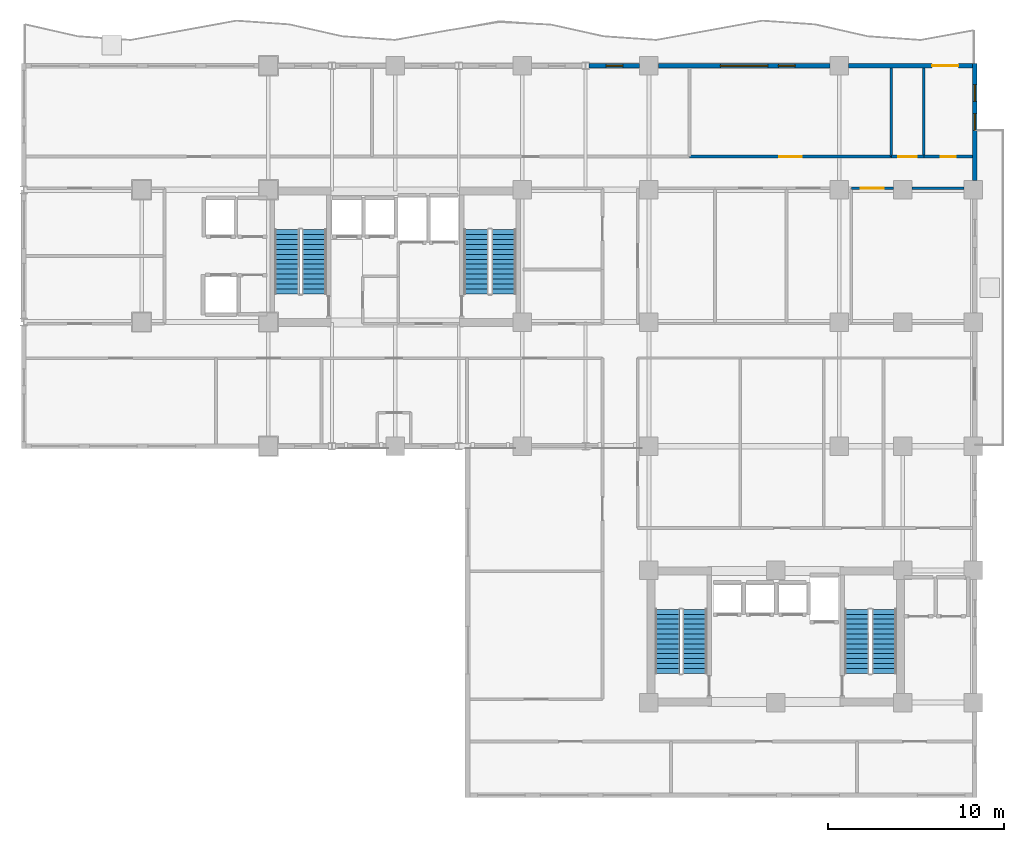
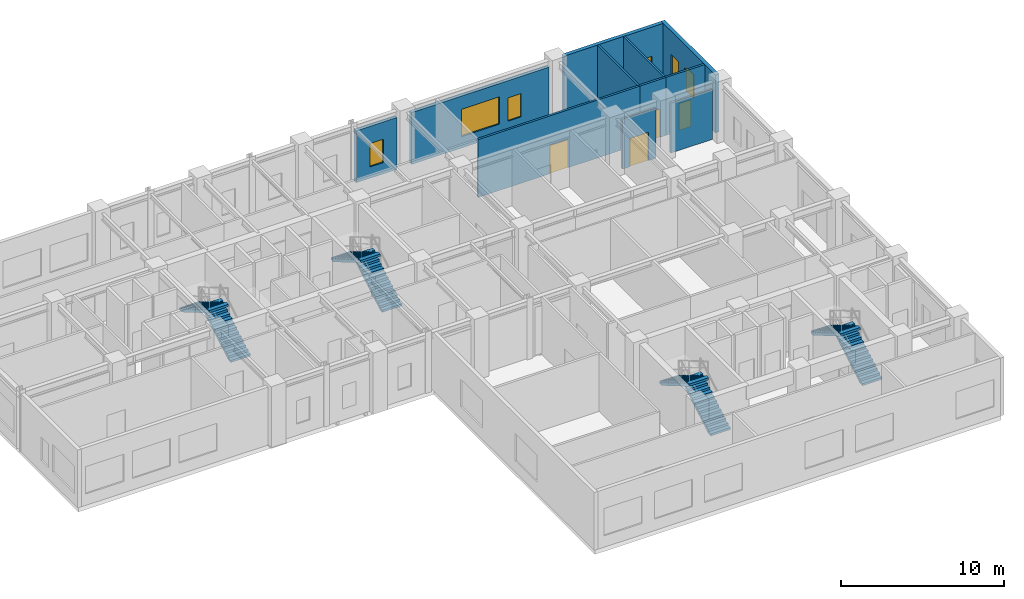
# One storey, part 9 of 14: 11 walls, 8 stair flights, 5 doors, 5 windows, 10 openings, 4 elements without a shape of their own.
"""IFC4 building model written with IfcOpenShell, lengths in metres."""

from ifc_helpers import new_model, si_unit, direction, frame, frame_2d, origin, place, context, subcontext, project, spatial, polyline, rectangle, outline, extrude, material, layer, layer_set, type_object, element, fill, aggregate, save


model = new_model("IFC4")

# Units and contexts
model_context = context("Model", 3, precision=1e-05, world=origin(), true_north=direction((0.0, 1.0)))
body_context = subcontext(model_context, "Body", "Model", "MODEL_VIEW")
ifc_project = project(units=[si_unit("LENGTHUNIT", "METRE"), si_unit("AREAUNIT", "SQUARE_METRE"), si_unit("VOLUMEUNIT", "CUBIC_METRE"), si_unit("PLANEANGLEUNIT", "RADIAN"), si_unit("MASSUNIT", "GRAM", prefix="KILO")], contexts=[model_context])

# Site, building, storey
site_placement = place(None, origin())
site = spatial("IfcSite", under=ifc_project, at=site_placement, CompositionType="ELEMENT")
building_placement = place(site_placement, origin())
building = spatial("IfcBuilding", under=site, at=building_placement, Name="Kaliganga Portal Commons", CompositionType="ELEMENT")
storey_placement = place(building_placement, frame((0.0, 0.0, 135.60009765625)))
storey = spatial("IfcBuildingStorey", under=building, at=storey_placement, Name="L34", CompositionType="ELEMENT", Elevation=135.60009765625)

# Wall, openings, windows
ifc_material_1 = material(Name="Insulated Aluminium-Clad Spandrel Assembly", Category="aluminium")
ifc_layer_1 = layer(ifc_material_1, 0.260009765625)
ifc_layer_set_1 = layer_set([ifc_layer_1], Name="Insulated Aluminium-Clad Spandrel Assembly")
wall_type_1 = type_object("IfcWallType", Name="WL-EXT-SPAND-260", PredefinedType="STANDARD", material=ifc_layer_set_1)
wall_1_placement = place(storey_placement, frame((54.5, 43.330078125, 0.0), z_axis=(0.0, 0.0, 1.0), x_axis=(0.0, -1.0, 0.0)))
wall_1 = element("IfcWall", 1, at=wall_1_placement, inside=storey, type_object=wall_type_1, Name="Exterior Envelope Wall L34 P1-E01-S6", PredefinedType="STANDARD", context=body_context, shape_type="SweptSolid", body=[
    extrude(rectangle(XDim=6.654052734375, YDim=0.260009765625, at=frame_2d((3.3271484375, 0.0))), origin(), (0.0, 0.0, 1.0), 4.33984375),
])
opening_1_placement = place(wall_1_placement, frame((2.85205078125, 0.0, 0.85009765625)))
opening_1 = element("IfcOpeningElement", 2, at=opening_1_placement, cuts=wall_1, Name="Opening W-04", PredefinedType="OPENING", context=body_context, shape_type="SweptSolid", body=[
    extrude(rectangle(XDim=0.949951171875, YDim=1.75, at=frame_2d((0.47509765625, 0.875))), frame((0.0, 0.14013671875, 0.0), z_axis=(0.0, -1.0, 0.0), x_axis=(1.0, 0.0, 0.0)), (0.0, 0.0, 1.0), 0.280029296875),
])
opening_2_placement = place(wall_1_placement, frame((1.201904296875, 0.0, 0.85009765625)))
opening_2 = element("IfcOpeningElement", 3, at=opening_2_placement, cuts=wall_1, Name="Opening W-04", PredefinedType="OPENING", context=body_context, shape_type="SweptSolid", body=[
    extrude(rectangle(XDim=0.949951171875, YDim=1.75, at=frame_2d((0.47509765625, 0.875))), frame((0.0, 0.14013671875, 0.0), z_axis=(0.0, -1.0, 0.0), x_axis=(1.0, 0.0, 0.0)), (0.0, 0.0, 1.0), 0.280029296875),
])
ifc_material_2 = material(Name="Thermally Broken Aluminium and Low-E Double Glazing", Category="aluminium")
window_type_1 = type_object("IfcWindowType", Name="WIN-NARROW-950", PartitioningType="SINGLE_PANEL", PredefinedType="WINDOW", material=ifc_material_2)
window_1_placement = place(opening_1_placement, origin())
window_1 = element("IfcWindow", 4, at=window_1_placement, inside=storey, type_object=window_type_1, Name="Facade Window L34-P1E01S6-N0", OverallHeight=1.75, OverallWidth=0.949951171875, PartitioningType="SINGLE_PANEL", PredefinedType="WINDOW", context=body_context, shape_type="SweptSolid", body=[
    extrude(rectangle(XDim=0.949951171875, YDim=1.75, at=frame_2d((0.47509765625, 0.875))), frame((0.0, 0.030029296875, 0.0), z_axis=(0.0, -1.0, 0.0), x_axis=(1.0, 0.0, 0.0)), (0.0, 0.0, 1.0), 0.06005859375),
])
fill(opening_1, window_1)
window_2_placement = place(opening_2_placement, origin())
window_2 = element("IfcWindow", 5, at=window_2_placement, inside=storey, type_object=window_type_1, Name="Facade Window L34-P1E01S6-N1", OverallHeight=1.75, OverallWidth=0.949951171875, PartitioningType="SINGLE_PANEL", PredefinedType="WINDOW", context=body_context, shape_type="SweptSolid", body=[
    extrude(rectangle(XDim=0.949951171875, YDim=1.75, at=frame_2d((0.47509765625, 0.875))), frame((0.0, 0.030029296875, 0.0), z_axis=(0.0, -1.0, 0.0), x_axis=(1.0, 0.0, 0.0)), (0.0, 0.0, 1.0), 0.06005859375),
])
fill(opening_2, window_2)

# Wall, opening, door
wall_2_placement = place(storey_placement, frame((47.325927734375, 43.199951171875, 0.0), z_axis=(0.0, 0.0, 1.0), x_axis=(1.0, 0.0, 0.0)))
wall_2 = element("IfcWall", 6, at=wall_2_placement, inside=storey, type_object=wall_type_1, Name="Exterior Envelope Wall L34 P1-E02-S1", PredefinedType="STANDARD", context=body_context, shape_type="SweptSolid", body=[
    extrude(rectangle(XDim=7.0390625, YDim=0.260009765625, at=frame_2d((3.51953125, 0.0))), origin(), (0.0, 0.0, 1.0), 4.33984375),
])
opening_3_placement = place(wall_2_placement, frame((4.739990234375, 0.0, 0.0)))
opening_3 = element("IfcOpeningElement", 7, at=opening_3_placement, cuts=wall_2, Name="Opening BD-01", PredefinedType="OPENING", context=body_context, shape_type="SweptSolid", body=[
    extrude(rectangle(XDim=1.5, YDim=2.14990234375, at=frame_2d((0.75, 1.074951171875))), frame((0.0, 0.14013671875, 0.0), z_axis=(0.0, -1.0, 0.0), x_axis=(1.0, 0.0, 0.0)), (0.0, 0.0, 1.0), 0.280029296875),
])
ifc_material_3 = material(Name="Anodized Aluminium and Laminated Safety Glass", Category="aluminium")
door_type_1 = type_object("IfcDoorType", Name="DR-BALC-1500", OperationType="SLIDING_TO_LEFT", PredefinedType="DOOR", material=ifc_material_3)
door_1_placement = place(opening_3_placement, origin())
door_1 = element("IfcDoor", 8, at=door_1_placement, inside=storey, type_object=door_type_1, Name="Balcony Sliding Door L34 balc_north", OperationType="SLIDING_TO_LEFT", OverallHeight=2.14990234375, OverallWidth=1.5, PredefinedType="DOOR", context=body_context, shape_type="SweptSolid", body=[
    extrude(rectangle(XDim=1.5, YDim=2.14990234375, at=frame_2d((0.75, 1.074951171875))), frame((0.0, 0.02490234375, 0.0), z_axis=(0.0, -1.0, 0.0), x_axis=(1.0, 0.0, 0.0)), (0.0, 0.0, 1.0), 0.050048828125),
])
fill(opening_3, door_1)

# Wall, openings, windows
wall_3_placement = place(storey_placement, frame((36.52587890625, 43.199951171875, 0.0), z_axis=(0.0, 0.0, 1.0), x_axis=(1.0, 0.0, 0.0)))
wall_3 = element("IfcWall", 9, at=wall_3_placement, inside=storey, type_object=wall_type_1, Name="Exterior Envelope Wall L34 P1-E02-S2", PredefinedType="STANDARD", context=body_context, shape_type="SweptSolid", body=[
    extrude(rectangle(XDim=9.748046875, YDim=0.260009765625, at=frame_2d((4.8740234375, 0.0))), origin(), (0.0, 0.0, 1.0), 3.889892578125),
])
opening_4_placement = place(wall_3_placement, frame((3.52392578125, 0.0, 0.85009765625)))
opening_4 = element("IfcOpeningElement", 10, at=opening_4_placement, cuts=wall_3, Name="Opening W-07", PredefinedType="OPENING", context=body_context, shape_type="SweptSolid", body=[
    extrude(rectangle(XDim=2.699951171875, YDim=2.050048828125, at=frame_2d((1.35009765625, 1.02490234375))), frame((0.0, 0.14013671875, 0.0), z_axis=(0.0, -1.0, 0.0), x_axis=(1.0, 0.0, 0.0)), (0.0, 0.0, 1.0), 0.280029296875),
])
opening_5_placement = place(wall_3_placement, frame((6.81640625, 0.0, 0.85009765625)))
opening_5 = element("IfcOpeningElement", 11, at=opening_5_placement, cuts=wall_3, Name="Opening W-04", PredefinedType="OPENING", context=body_context, shape_type="SweptSolid", body=[
    extrude(rectangle(XDim=0.949951171875, YDim=1.75, at=frame_2d((0.47509765625, 0.875))), frame((0.0, 0.14013671875, 0.0), z_axis=(0.0, -1.0, 0.0), x_axis=(1.0, 0.0, 0.0)), (0.0, 0.0, 1.0), 0.280029296875),
])
window_type_2 = type_object("IfcWindowType", Name="WIN-LOUNGE-2700", PartitioningType="TRIPLE_PANEL_VERTICAL", PredefinedType="WINDOW", material=ifc_material_2)
window_3_placement = place(opening_4_placement, origin())
window_3 = element("IfcWindow", 12, at=window_3_placement, inside=storey, type_object=window_type_2, Name="Facade Window L34-P1E02S2-01", OverallHeight=2.050048828125, OverallWidth=2.699951171875, PartitioningType="SINGLE_PANEL", PredefinedType="WINDOW", context=body_context, shape_type="SweptSolid", body=[
    extrude(rectangle(XDim=2.699951171875, YDim=2.050048828125, at=frame_2d((1.35009765625, 1.02490234375))), frame((0.0, 0.030029296875, 0.0), z_axis=(0.0, -1.0, 0.0), x_axis=(1.0, 0.0, 0.0)), (0.0, 0.0, 1.0), 0.06005859375),
])
fill(opening_4, window_3)
window_4_placement = place(opening_5_placement, origin())
window_4 = element("IfcWindow", 13, at=window_4_placement, inside=storey, type_object=window_type_1, Name="Facade Window L34-P1E02S2-N2", OverallHeight=1.75, OverallWidth=0.949951171875, PartitioningType="SINGLE_PANEL", PredefinedType="WINDOW", context=body_context, shape_type="SweptSolid", body=[
    extrude(rectangle(XDim=0.949951171875, YDim=1.75, at=frame_2d((0.47509765625, 0.875))), frame((0.0, 0.030029296875, 0.0), z_axis=(0.0, -1.0, 0.0), x_axis=(1.0, 0.0, 0.0)), (0.0, 0.0, 1.0), 0.06005859375),
])
fill(opening_5, window_4)

# Wall, opening, window
wall_4_placement = place(storey_placement, frame((32.60302734375, 43.199951171875, 0.0), z_axis=(0.0, 0.0, 1.0), x_axis=(1.0, 0.0, 0.0)))
wall_4 = element("IfcWall", 14, at=wall_4_placement, inside=storey, type_object=wall_type_1, Name="Exterior Envelope Wall L34 P1-E02-S3", PredefinedType="STANDARD", context=body_context, shape_type="SweptSolid", body=[
    extrude(rectangle(XDim=2.87109375, YDim=0.260009765625, at=frame_2d((1.435546875, 0.0))), origin(), (0.0, 0.0, 1.0), 3.889892578125),
])
opening_6_placement = place(wall_4_placement, frame((0.96044921875, 0.0, 0.85009765625)))
opening_6 = element("IfcOpeningElement", 15, at=opening_6_placement, cuts=wall_4, Name="Opening W-04", PredefinedType="OPENING", context=body_context, shape_type="SweptSolid", body=[
    extrude(rectangle(XDim=0.949951171875, YDim=1.75, at=frame_2d((0.47509765625, 0.875))), frame((0.0, 0.14013671875, 0.0), z_axis=(0.0, -1.0, 0.0), x_axis=(1.0, 0.0, 0.0)), (0.0, 0.0, 1.0), 0.280029296875),
])
window_5_placement = place(opening_6_placement, origin())
window_5 = element("IfcWindow", 16, at=window_5_placement, inside=storey, type_object=window_type_1, Name="Facade Window L34-P1E02S3-00", OverallHeight=1.75, OverallWidth=0.949951171875, PartitioningType="SINGLE_PANEL", PredefinedType="WINDOW", context=body_context, shape_type="SweptSolid", body=[
    extrude(rectangle(XDim=0.949951171875, YDim=1.75, at=frame_2d((0.47509765625, 0.875))), frame((0.0, 0.030029296875, 0.0), z_axis=(0.0, -1.0, 0.0), x_axis=(1.0, 0.0, 0.0)), (0.0, 0.0, 1.0), 0.06005859375),
])
fill(opening_6, window_5)

# Wall, opening, door
ifc_material_4 = material(Name="Fire-Rated Gypsum Board on Steel Stud", Category="steel")
ifc_layer_2 = layer(ifc_material_4, 0.14990234375)
ifc_layer_set_2 = layer_set([ifc_layer_2], Name="Fire-Rated Gypsum Board on Steel Stud")
wall_type_2 = type_object("IfcWallType", Name="WL-PART-CORR-150", PredefinedType="PARTITIONING", material=ifc_layer_set_2)
wall_5_placement = place(storey_placement, frame((38.300048828125, 38.0400390625, 0.0), z_axis=(0.0, 0.0, 1.0), x_axis=(1.0, 0.0, 0.0)))
wall_5 = element("IfcWall", 17, at=wall_5_placement, inside=storey, type_object=wall_type_2, Name="Interior Partition L34-007", PredefinedType="PARTITIONING", context=body_context, shape_type="SweptSolid", body=[
    extrude(rectangle(XDim=11.4599609375, YDim=0.14990234375, at=frame_2d((5.72998046875, 0.0))), origin(), (0.0, 0.0, 1.0), 4.33984375),
])
opening_7_placement = place(wall_5_placement, frame((5.080078125, 0.0, 0.0)))
opening_7 = element("IfcOpeningElement", 18, at=opening_7_placement, cuts=wall_5, Name="Opening RD-03", PredefinedType="OPENING", context=body_context, shape_type="SweptSolid", body=[
    extrude(rectangle(XDim=1.300048828125, YDim=2.1201171875, at=frame_2d((0.64990234375, 1.06005859375))), frame((0.0, 0.0849609375, 0.0), z_axis=(0.0, -1.0, 0.0), x_axis=(1.0, 0.0, 0.0)), (0.0, 0.0, 1.0), 0.169921875),
])
ifc_material_5 = material(Name="Glazed Timber Seminar Vision Door", Category="wood")
door_type_2 = type_object("IfcDoorType", Name="DR-STUDY-1300", OperationType="DOUBLE_DOOR_SINGLE_SWING", PredefinedType="DOOR", material=ifc_material_5)
door_2_placement = place(opening_7_placement, origin())
door_2 = element("IfcDoor", 19, at=door_2_placement, inside=storey, type_object=door_type_2, Name="Interior Door L34-AN03", OperationType="DOUBLE_DOOR_SINGLE_SWING", OverallHeight=2.1201171875, OverallWidth=1.300048828125, PredefinedType="DOOR", context=body_context, shape_type="SweptSolid", body=[
    extrude(rectangle(XDim=1.300048828125, YDim=2.1201171875, at=frame_2d((0.64990234375, 1.06005859375))), frame((0.0, 0.02490234375, 0.0), z_axis=(0.0, -1.0, 0.0), x_axis=(1.0, 0.0, 0.0)), (0.0, 0.0, 1.0), 0.050048828125),
])
fill(opening_7, door_2)

wall_6_placement = place(storey_placement, frame((47.47998046875, 36.239990234375, 0.0), z_axis=(0.0, 0.0, 1.0), x_axis=(1.0, 0.0, 0.0)))
wall_6 = element("IfcWall", 20, at=wall_6_placement, inside=storey, type_object=wall_type_2, Name="Interior Partition L34-021", PredefinedType="PARTITIONING", context=body_context, shape_type="SweptSolid", body=[
    extrude(rectangle(XDim=2.39501953125, YDim=0.14990234375, at=frame_2d((1.197509765625, 0.0))), origin(), (0.0, 0.0, 1.0), 3.739990234375),
])
opening_8_placement = place(wall_6_placement, frame((0.547607421875, 0.0, 0.0)))
opening_8 = element("IfcOpeningElement", 21, at=opening_8_placement, cuts=wall_6, Name="Opening RD-03", PredefinedType="OPENING", context=body_context, shape_type="SweptSolid", body=[
    extrude(rectangle(XDim=1.300048828125, YDim=2.1201171875, at=frame_2d((0.64990234375, 1.06005859375))), frame((0.0, 0.0849609375, 0.0), z_axis=(0.0, -1.0, 0.0), x_axis=(1.0, 0.0, 0.0)), (0.0, 0.0, 1.0), 0.169921875),
])
door_3_placement = place(opening_8_placement, origin())
door_3 = element("IfcDoor", 22, at=door_3_placement, inside=storey, type_object=door_type_2, Name="Interior Door L34-BK04", OperationType="DOUBLE_DOOR_SINGLE_SWING", OverallHeight=2.1201171875, OverallWidth=1.300048828125, PredefinedType="DOOR", context=body_context, shape_type="SweptSolid", body=[
    extrude(rectangle(XDim=1.300048828125, YDim=2.1201171875, at=frame_2d((0.64990234375, 1.06005859375))), frame((0.0, 0.02490234375, 0.0), z_axis=(0.0, -1.0, 0.0), x_axis=(1.0, 0.0, 0.0)), (0.0, 0.0, 1.0), 0.050048828125),
])
fill(opening_8, door_3)

# Wall
wall_7_placement = place(storey_placement, frame((50.925048828125, 36.239990234375, 0.0), z_axis=(0.0, 0.0, 1.0), x_axis=(1.0, 0.0, 0.0)))
element("IfcWall", 23, at=wall_7_placement, inside=storey, type_object=wall_type_2, Name="Interior Partition L34-022", PredefinedType="PARTITIONING", context=body_context, shape_type="SweptSolid", body=[
    extrude(rectangle(XDim=2.949951171875, YDim=0.14990234375, at=frame_2d((1.47509765625, 0.0))), origin(), (0.0, 0.0, 1.0), 3.739990234375),
])

# Wall, opening, door
wall_8_placement = place(storey_placement, frame((51.60009765625, 38.0400390625, 0.0), z_axis=(0.0, 0.0, 1.0), x_axis=(1.0, 0.0, 0.0)))
wall_8 = element("IfcWall", 24, at=wall_8_placement, inside=storey, type_object=wall_type_2, Name="Interior Partition L34-039", PredefinedType="PARTITIONING", context=body_context, shape_type="SweptSolid", body=[
    extrude(rectangle(XDim=2.767822265625, YDim=0.14990234375, at=frame_2d((1.3837890625, 0.0))), origin(), (0.0, 0.0, 1.0), 4.33984375),
])
opening_9_placement = place(wall_8_placement, frame((0.9541015625, 0.0, 0.0)))
opening_9 = element("IfcOpeningElement", 25, at=opening_9_placement, cuts=wall_8, Name="Opening WD-02", PredefinedType="OPENING", context=body_context, shape_type="SweptSolid", body=[
    extrude(rectangle(XDim=0.860107421875, YDim=2.02001953125, at=frame_2d((0.43017578125, 1.010009765625))), frame((0.0, 0.0849609375, 0.0), z_axis=(0.0, -1.0, 0.0), x_axis=(1.0, 0.0, 0.0)), (0.0, 0.0, 1.0), 0.169921875),
])
ifc_material_6 = material(Name="Fire-Rated Utility Closet Door", Category="wood")
door_type_3 = type_object("IfcDoorType", Name="DR-STORE-800", OperationType="NOTDEFINED", PredefinedType="DOOR", material=ifc_material_6)
door_4_placement = place(opening_9_placement, origin())
door_4 = element("IfcDoor", 26, at=door_4_placement, inside=storey, type_object=door_type_3, Name="Interior Door L34-AN05", OperationType="SINGLE_SWING_RIGHT", OverallHeight=2.02001953125, OverallWidth=0.860107421875, PredefinedType="DOOR", context=body_context, shape_type="SweptSolid", body=[
    extrude(rectangle(XDim=0.860107421875, YDim=2.02001953125, at=frame_2d((0.43017578125, 1.010009765625))), frame((0.0, 0.02490234375, 0.0), z_axis=(0.0, -1.0, 0.0), x_axis=(1.0, 0.0, 0.0)), (0.0, 0.0, 1.0), 0.050048828125),
])
fill(opening_9, door_4)

wall_9_placement = place(storey_placement, frame((49.760009765625, 38.0400390625, 0.0), z_axis=(0.0, 0.0, 1.0), x_axis=(1.0, 0.0, 0.0)))
wall_9 = element("IfcWall", 27, at=wall_9_placement, inside=storey, type_object=wall_type_2, Name="Interior Partition L34-044", PredefinedType="PARTITIONING", context=body_context, shape_type="SweptSolid", body=[
    extrude(rectangle(XDim=1.840087890625, YDim=0.14990234375, at=frame_2d((0.919921875, 0.0))), origin(), (0.0, 0.0, 1.0), 4.33984375),
])
opening_10_placement = place(wall_9_placement, frame((0.39501953125, 0.0, 0.0)))
opening_10 = element("IfcOpeningElement", 28, at=opening_10_placement, cuts=wall_9, Name="Opening UD-02", PredefinedType="OPENING", context=body_context, shape_type="SweptSolid", body=[
    extrude(rectangle(XDim=1.050048828125, YDim=2.1201171875, at=frame_2d((0.52490234375, 1.06005859375))), frame((0.0, 0.0849609375, 0.0), z_axis=(0.0, -1.0, 0.0), x_axis=(1.0, 0.0, 0.0)), (0.0, 0.0, 1.0), 0.169921875),
])
ifc_material_7 = material(Name="Accessible Wide-Leaf Acoustic Fire Door", Category="wood")
door_type_4 = type_object("IfcDoorType", Name="DR-ACC-1050", OperationType="NOTDEFINED", PredefinedType="DOOR", material=ifc_material_7)
door_5_placement = place(opening_10_placement, origin())
door_5 = element("IfcDoor", 29, at=door_5_placement, inside=storey, type_object=door_type_4, Name="Interior Door L34-AN04", OperationType="SINGLE_SWING_RIGHT", OverallHeight=2.1201171875, OverallWidth=1.050048828125, PredefinedType="DOOR", context=body_context, shape_type="SweptSolid", body=[
    extrude(rectangle(XDim=1.050048828125, YDim=2.1201171875, at=frame_2d((0.52490234375, 1.06005859375))), frame((0.0, 0.02490234375, 0.0), z_axis=(0.0, -1.0, 0.0), x_axis=(1.0, 0.0, 0.0)), (0.0, 0.0, 1.0), 0.050048828125),
])
fill(opening_10, door_5)

# Walls
ifc_material_8 = material(Name="Cement-Board Wet-Room Partition", Category="gypsum")
ifc_layer_3 = layer(ifc_material_8, 0.135009765625)
ifc_layer_set_3 = layer_set([ifc_layer_3], Name="Cement-Board Wet-Room Partition")
wall_type_3 = type_object("IfcWallType", Name="WL-PART-WET-135", PredefinedType="PARTITIONING", material=ifc_layer_set_3)
for number, where, z_axis, x_axis, name in (
    (30, (49.760009765625, 38.0400390625, 0.0), (0.0, 0.0, 1.0), (0.0, 1.0, 0.0), "Interior Partition L34-060"),
    (31, (51.60009765625, 38.0400390625, 0.0), (0.0, 0.0, 1.0), (0.0, 1.0, 0.0), "Interior Partition L34-061"),
):
    element("IfcWall", number, at=place(storey_placement, frame(where, z_axis=z_axis, x_axis=x_axis)), inside=storey, type_object=wall_type_3, Name=name, PredefinedType="PARTITIONING", context=body_context, shape_type="SweptSolid", body=[
        extrude(rectangle(XDim=5.028076171875, YDim=0.135009765625, at=frame_2d((2.51416015625, 0.0))), origin(), (0.0, 0.0, 1.0), 4.33984375),
    ])

# Stair, stair flights
ifc_material_9 = material(Name="Concrete C40/50", Category="concrete")
stair_type = type_object("IfcStairType", Name="ST-CORE-DOGLEG", PredefinedType="HALF_TURN_STAIR", material=ifc_material_9)
stair_1_placement = place(storey_placement, origin())
stair_1 = element("IfcStair", 32, at=stair_1_placement, inside=storey, type_object=stair_type, Name="L34 Protected Exit Stair ST-A1", PredefinedType="HALF_TURN_STAIR")
stair_flight_type = type_object("IfcStairFlightType", Name="STF-RC-1400", PredefinedType="STRAIGHT", material=ifc_material_9)
stair_flight_1_placement = place(storey_placement, frame((17.0, 30.25, 0.0), z_axis=(0.0, 0.0, 1.0), x_axis=(0.0, 1.0, 0.0)))
stair_flight_1 = element("IfcStairFlight", 33, at=stair_flight_1_placement, type_object=stair_flight_type, Name="ST-A1 flight 1", NumberOfRisers=14, NumberOfTreads=13, PredefinedType="STRAIGHT", RiserHeight=0.164285714, TreadLength=0.28, context=body_context, shape_type="SweptSolid", body=[
    extrude(outline(polyline([(0.0, 0.0), (0.0, 0.164306640625), (0.280029296875, 0.164306640625), (0.280029296875, 0.32861328125), (0.56005859375, 0.32861328125), (0.56005859375, 0.492919921875), (0.840087890625, 0.492919921875), (0.840087890625, 0.6572265625), (1.1201171875, 0.6572265625), (1.1201171875, 0.821533203125), (1.39990234375, 0.821533203125), (1.39990234375, 0.985595703125), (1.679931640625, 0.985595703125), (1.679931640625, 1.14990234375), (1.9599609375, 1.14990234375), (1.9599609375, 1.314208984375), (2.239990234375, 1.314208984375), (2.239990234375, 1.478515625), (2.52001953125, 1.478515625), (2.52001953125, 1.642822265625), (2.800048828125, 1.642822265625), (2.800048828125, 1.80712890625), (3.080078125, 1.80712890625), (3.080078125, 1.971435546875), (3.360107421875, 1.971435546875), (3.360107421875, 2.1357421875), (3.639892578125, 2.1357421875), (3.639892578125, 2.300048828125), (3.639892578125, 1.9619140625), (0.296142578125, 0.0), (0.0, 0.0)])), frame((0.0, 0.699951171875, 0.0), z_axis=(0.0, -1.0, 0.0), x_axis=(1.0, 0.0, 0.0)), (0.0, 0.0, 1.0), 1.39990234375),
])
stair_flight_2_placement = place(storey_placement, frame((15.449951171875, 33.889892578125, 2.2998046875), z_axis=(0.0, 0.0, 1.0), x_axis=(0.0, -1.0, 0.0)))
stair_flight_2 = element("IfcStairFlight", 34, at=stair_flight_2_placement, type_object=stair_flight_type, Name="ST-A1 flight 2", NumberOfRisers=14, NumberOfTreads=13, PredefinedType="STRAIGHT", RiserHeight=0.164285714, TreadLength=0.28, context=body_context, shape_type="SweptSolid", body=[
    extrude(outline(polyline([(0.0, 0.0), (0.0, 0.164306640625), (0.280029296875, 0.164306640625), (0.280029296875, 0.32861328125), (0.56005859375, 0.32861328125), (0.56005859375, 0.492919921875), (0.840087890625, 0.492919921875), (0.840087890625, 0.6572265625), (1.1201171875, 0.6572265625), (1.1201171875, 0.821533203125), (1.39990234375, 0.821533203125), (1.39990234375, 0.985595703125), (1.679931640625, 0.985595703125), (1.679931640625, 1.14990234375), (1.9599609375, 1.14990234375), (1.9599609375, 1.314208984375), (2.239990234375, 1.314208984375), (2.239990234375, 1.478515625), (2.52001953125, 1.478515625), (2.52001953125, 1.642822265625), (2.800048828125, 1.642822265625), (2.800048828125, 1.80712890625), (3.080078125, 1.80712890625), (3.080078125, 1.971435546875), (3.360107421875, 1.971435546875), (3.360107421875, 2.1357421875), (3.639892578125, 2.1357421875), (3.639892578125, 2.300048828125), (3.639892578125, 1.9619140625), (0.296142578125, 0.0), (0.0, 0.0)])), frame((0.0, 0.699951171875, 0.0), z_axis=(0.0, -1.0, 0.0), x_axis=(1.0, 0.0, 0.0)), (0.0, 0.0, 1.0), 1.39990234375),
])
aggregate(stair_1, [stair_flight_1, stair_flight_2])

stair_2_placement = place(storey_placement, origin())
stair_2 = element("IfcStair", 35, at=stair_2_placement, inside=storey, type_object=stair_type, Name="L34 Protected Exit Stair ST-A2", PredefinedType="HALF_TURN_STAIR")
stair_flight_3_placement = place(storey_placement, frame((27.75, 30.25, 0.0), z_axis=(0.0, 0.0, 1.0), x_axis=(0.0, 1.0, 0.0)))
stair_flight_3 = element("IfcStairFlight", 36, at=stair_flight_3_placement, type_object=stair_flight_type, Name="ST-A2 flight 1", NumberOfRisers=14, NumberOfTreads=13, PredefinedType="STRAIGHT", RiserHeight=0.164285714, TreadLength=0.28, context=body_context, shape_type="SweptSolid", body=[
    extrude(outline(polyline([(0.0, 0.0), (0.0, 0.164306640625), (0.280029296875, 0.164306640625), (0.280029296875, 0.32861328125), (0.56005859375, 0.32861328125), (0.56005859375, 0.492919921875), (0.840087890625, 0.492919921875), (0.840087890625, 0.6572265625), (1.1201171875, 0.6572265625), (1.1201171875, 0.821533203125), (1.39990234375, 0.821533203125), (1.39990234375, 0.985595703125), (1.679931640625, 0.985595703125), (1.679931640625, 1.14990234375), (1.9599609375, 1.14990234375), (1.9599609375, 1.314208984375), (2.239990234375, 1.314208984375), (2.239990234375, 1.478515625), (2.52001953125, 1.478515625), (2.52001953125, 1.642822265625), (2.800048828125, 1.642822265625), (2.800048828125, 1.80712890625), (3.080078125, 1.80712890625), (3.080078125, 1.971435546875), (3.360107421875, 1.971435546875), (3.360107421875, 2.1357421875), (3.639892578125, 2.1357421875), (3.639892578125, 2.300048828125), (3.639892578125, 1.9619140625), (0.296142578125, 0.0), (0.0, 0.0)])), frame((0.0, 0.699951171875, 0.0), z_axis=(0.0, -1.0, 0.0), x_axis=(1.0, 0.0, 0.0)), (0.0, 0.0, 1.0), 1.39990234375),
])
stair_flight_4_placement = place(storey_placement, frame((26.199951171875, 33.889892578125, 2.2998046875), z_axis=(0.0, 0.0, 1.0), x_axis=(0.0, -1.0, 0.0)))
stair_flight_4 = element("IfcStairFlight", 37, at=stair_flight_4_placement, type_object=stair_flight_type, Name="ST-A2 flight 2", NumberOfRisers=14, NumberOfTreads=13, PredefinedType="STRAIGHT", RiserHeight=0.164285714, TreadLength=0.28, context=body_context, shape_type="SweptSolid", body=[
    extrude(outline(polyline([(0.0, 0.0), (0.0, 0.164306640625), (0.280029296875, 0.164306640625), (0.280029296875, 0.32861328125), (0.56005859375, 0.32861328125), (0.56005859375, 0.492919921875), (0.840087890625, 0.492919921875), (0.840087890625, 0.6572265625), (1.1201171875, 0.6572265625), (1.1201171875, 0.821533203125), (1.39990234375, 0.821533203125), (1.39990234375, 0.985595703125), (1.679931640625, 0.985595703125), (1.679931640625, 1.14990234375), (1.9599609375, 1.14990234375), (1.9599609375, 1.314208984375), (2.239990234375, 1.314208984375), (2.239990234375, 1.478515625), (2.52001953125, 1.478515625), (2.52001953125, 1.642822265625), (2.800048828125, 1.642822265625), (2.800048828125, 1.80712890625), (3.080078125, 1.80712890625), (3.080078125, 1.971435546875), (3.360107421875, 1.971435546875), (3.360107421875, 2.1357421875), (3.639892578125, 2.1357421875), (3.639892578125, 2.300048828125), (3.639892578125, 1.9619140625), (0.296142578125, 0.0), (0.0, 0.0)])), frame((0.0, 0.699951171875, 0.0), z_axis=(0.0, -1.0, 0.0), x_axis=(1.0, 0.0, 0.0)), (0.0, 0.0, 1.0), 1.39990234375),
])
aggregate(stair_2, [stair_flight_3, stair_flight_4])

stair_3_placement = place(storey_placement, origin())
stair_3 = element("IfcStair", 38, at=stair_3_placement, inside=storey, type_object=stair_type, Name="L34 Protected Exit Stair ST-B1", PredefinedType="HALF_TURN_STAIR")
stair_flight_5_placement = place(storey_placement, frame((38.60009765625, 8.699951171875, 0.0), z_axis=(0.0, 0.0, 1.0), x_axis=(0.0, 1.0, 0.0)))
stair_flight_5 = element("IfcStairFlight", 39, at=stair_flight_5_placement, type_object=stair_flight_type, Name="ST-B1 flight 1", NumberOfRisers=14, NumberOfTreads=13, PredefinedType="STRAIGHT", RiserHeight=0.164285714, TreadLength=0.28, context=body_context, shape_type="SweptSolid", body=[
    extrude(outline(polyline([(0.0, 0.0), (0.0, 0.164306640625), (0.280029296875, 0.164306640625), (0.280029296875, 0.32861328125), (0.56005859375, 0.32861328125), (0.56005859375, 0.492919921875), (0.840087890625, 0.492919921875), (0.840087890625, 0.6572265625), (1.1201171875, 0.6572265625), (1.1201171875, 0.821533203125), (1.39990234375, 0.821533203125), (1.39990234375, 0.985595703125), (1.679931640625, 0.985595703125), (1.679931640625, 1.14990234375), (1.9599609375, 1.14990234375), (1.9599609375, 1.314208984375), (2.239990234375, 1.314208984375), (2.239990234375, 1.478515625), (2.52001953125, 1.478515625), (2.52001953125, 1.642822265625), (2.800048828125, 1.642822265625), (2.800048828125, 1.80712890625), (3.080078125, 1.80712890625), (3.080078125, 1.971435546875), (3.360107421875, 1.971435546875), (3.360107421875, 2.1357421875), (3.639892578125, 2.1357421875), (3.639892578125, 2.300048828125), (3.639892578125, 1.9619140625), (0.296142578125, 0.0), (0.0, 0.0)])), frame((0.0, 0.699951171875, 0.0), z_axis=(0.0, -1.0, 0.0), x_axis=(1.0, 0.0, 0.0)), (0.0, 0.0, 1.0), 1.39990234375),
])
stair_flight_6_placement = place(storey_placement, frame((37.050048828125, 12.340087890625, 2.2998046875), z_axis=(0.0, 0.0, 1.0), x_axis=(0.0, -1.0, 0.0)))
stair_flight_6 = element("IfcStairFlight", 40, at=stair_flight_6_placement, type_object=stair_flight_type, Name="ST-B1 flight 2", NumberOfRisers=14, NumberOfTreads=13, PredefinedType="STRAIGHT", RiserHeight=0.164285714, TreadLength=0.28, context=body_context, shape_type="SweptSolid", body=[
    extrude(outline(polyline([(0.0, 0.0), (0.0, 0.164306640625), (0.280029296875, 0.164306640625), (0.280029296875, 0.32861328125), (0.56005859375, 0.32861328125), (0.56005859375, 0.492919921875), (0.840087890625, 0.492919921875), (0.840087890625, 0.6572265625), (1.1201171875, 0.6572265625), (1.1201171875, 0.821533203125), (1.39990234375, 0.821533203125), (1.39990234375, 0.985595703125), (1.679931640625, 0.985595703125), (1.679931640625, 1.14990234375), (1.9599609375, 1.14990234375), (1.9599609375, 1.314208984375), (2.239990234375, 1.314208984375), (2.239990234375, 1.478515625), (2.52001953125, 1.478515625), (2.52001953125, 1.642822265625), (2.800048828125, 1.642822265625), (2.800048828125, 1.80712890625), (3.080078125, 1.80712890625), (3.080078125, 1.971435546875), (3.360107421875, 1.971435546875), (3.360107421875, 2.1357421875), (3.639892578125, 2.1357421875), (3.639892578125, 2.300048828125), (3.639892578125, 1.9619140625), (0.296142578125, 0.0), (0.0, 0.0)])), frame((0.0, 0.699951171875, 0.0), z_axis=(0.0, -1.0, 0.0), x_axis=(1.0, 0.0, 0.0)), (0.0, 0.0, 1.0), 1.39990234375),
])
aggregate(stair_3, [stair_flight_5, stair_flight_6])

stair_4_placement = place(storey_placement, origin())
stair_4 = element("IfcStair", 41, at=stair_4_placement, inside=storey, type_object=stair_type, Name="L34 Protected Exit Stair ST-B2", PredefinedType="HALF_TURN_STAIR")
stair_flight_7_placement = place(storey_placement, frame((49.35009765625, 8.699951171875, 0.0), z_axis=(0.0, 0.0, 1.0), x_axis=(0.0, 1.0, 0.0)))
stair_flight_7 = element("IfcStairFlight", 42, at=stair_flight_7_placement, type_object=stair_flight_type, Name="ST-B2 flight 1", NumberOfRisers=14, NumberOfTreads=13, PredefinedType="STRAIGHT", RiserHeight=0.164285714, TreadLength=0.28, context=body_context, shape_type="SweptSolid", body=[
    extrude(outline(polyline([(0.0, 0.0), (0.0, 0.164306640625), (0.280029296875, 0.164306640625), (0.280029296875, 0.32861328125), (0.56005859375, 0.32861328125), (0.56005859375, 0.492919921875), (0.840087890625, 0.492919921875), (0.840087890625, 0.6572265625), (1.1201171875, 0.6572265625), (1.1201171875, 0.821533203125), (1.39990234375, 0.821533203125), (1.39990234375, 0.985595703125), (1.679931640625, 0.985595703125), (1.679931640625, 1.14990234375), (1.9599609375, 1.14990234375), (1.9599609375, 1.314208984375), (2.239990234375, 1.314208984375), (2.239990234375, 1.478515625), (2.52001953125, 1.478515625), (2.52001953125, 1.642822265625), (2.800048828125, 1.642822265625), (2.800048828125, 1.80712890625), (3.080078125, 1.80712890625), (3.080078125, 1.971435546875), (3.360107421875, 1.971435546875), (3.360107421875, 2.1357421875), (3.639892578125, 2.1357421875), (3.639892578125, 2.300048828125), (3.639892578125, 1.9619140625), (0.296142578125, 0.0), (0.0, 0.0)])), frame((0.0, 0.699951171875, 0.0), z_axis=(0.0, -1.0, 0.0), x_axis=(1.0, 0.0, 0.0)), (0.0, 0.0, 1.0), 1.39990234375),
])
stair_flight_8_placement = place(storey_placement, frame((47.800048828125, 12.340087890625, 2.2998046875), z_axis=(0.0, 0.0, 1.0), x_axis=(0.0, -1.0, 0.0)))
stair_flight_8 = element("IfcStairFlight", 43, at=stair_flight_8_placement, type_object=stair_flight_type, Name="ST-B2 flight 2", NumberOfRisers=14, NumberOfTreads=13, PredefinedType="STRAIGHT", RiserHeight=0.164285714, TreadLength=0.28, context=body_context, shape_type="SweptSolid", body=[
    extrude(outline(polyline([(0.0, 0.0), (0.0, 0.164306640625), (0.280029296875, 0.164306640625), (0.280029296875, 0.32861328125), (0.56005859375, 0.32861328125), (0.56005859375, 0.492919921875), (0.840087890625, 0.492919921875), (0.840087890625, 0.6572265625), (1.1201171875, 0.6572265625), (1.1201171875, 0.821533203125), (1.39990234375, 0.821533203125), (1.39990234375, 0.985595703125), (1.679931640625, 0.985595703125), (1.679931640625, 1.14990234375), (1.9599609375, 1.14990234375), (1.9599609375, 1.314208984375), (2.239990234375, 1.314208984375), (2.239990234375, 1.478515625), (2.52001953125, 1.478515625), (2.52001953125, 1.642822265625), (2.800048828125, 1.642822265625), (2.800048828125, 1.80712890625), (3.080078125, 1.80712890625), (3.080078125, 1.971435546875), (3.360107421875, 1.971435546875), (3.360107421875, 2.1357421875), (3.639892578125, 2.1357421875), (3.639892578125, 2.300048828125), (3.639892578125, 1.9619140625), (0.296142578125, 0.0), (0.0, 0.0)])), frame((0.0, 0.699951171875, 0.0), z_axis=(0.0, -1.0, 0.0), x_axis=(1.0, 0.0, 0.0)), (0.0, 0.0, 1.0), 1.39990234375),
])
aggregate(stair_4, [stair_flight_7, stair_flight_8])

save(model, "model.ifc")
